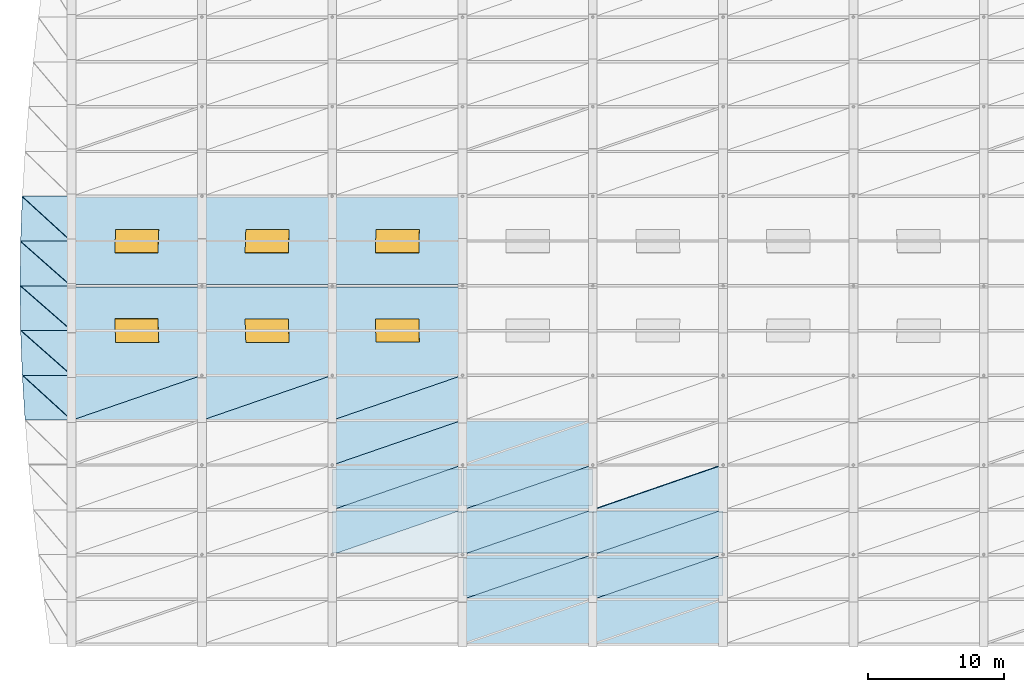
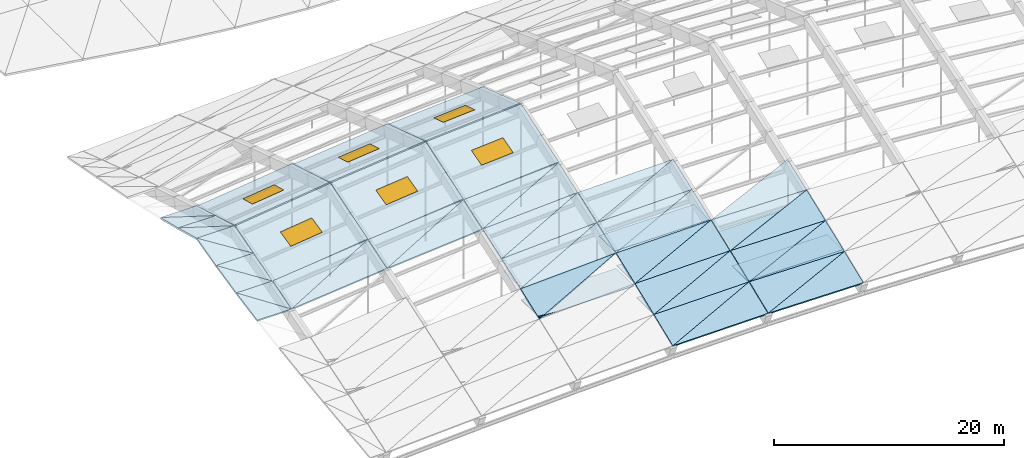
# One storey, part 37 of 43: 44 slabs, 7 plates, 6 windows, 6 openings.
"""IFC4 building model written with IfcOpenShell, lengths in metres."""

from ifc_helpers import new_model, si_unit, direction, frame, origin, origin_2d, place, context, subcontext, project, spatial, polyline, rectangle, outline, extrude, material, layer, layer_set, type_object, element, fill, save


model = new_model("IFC4")

# Units and contexts
model_context = context("Model", 3, precision=1e-05, world=origin(), true_north=direction((0.0, 1.0)))
body_context = subcontext(model_context, "Body", "Model", "MODEL_VIEW")
ifc_project = project(units=[si_unit("LENGTHUNIT", "METRE"), si_unit("AREAUNIT", "SQUARE_METRE"), si_unit("VOLUMEUNIT", "CUBIC_METRE"), si_unit("PLANEANGLEUNIT", "RADIAN"), si_unit("MASSUNIT", "GRAM", prefix="KILO")], contexts=[model_context])

# Site, building, storey
site_placement = place(None, origin())
site = spatial("IfcSite", under=ifc_project, at=site_placement, CompositionType="ELEMENT")
building_placement = place(site_placement, origin())
building = spatial("IfcBuilding", under=site, at=building_placement, Name="Chalmorin Arch Market", CompositionType="ELEMENT")
storey_placement = place(building_placement, frame((0.0, 0.0, 18.60009765625)))
storey = spatial("IfcBuildingStorey", under=building, at=storey_placement, Name="RF", CompositionType="ELEMENT", Elevation=18.60009765625)

# Slab, opening, window
ifc_material_1 = material(Name="Concrete C40/50", Category="concrete")
ifc_layer_1 = layer(ifc_material_1, 0.199951171875)
ifc_layer_set_1 = layer_set([ifc_layer_1], Name="Concrete C40/50")
slab_type_1 = type_object("IfcSlabType", Name="VaultCrownRoofSlab-200", PredefinedType="ROOF", material=ifc_layer_set_1)
slab_1_placement = place(storey_placement, frame((48.02001953125, 25.800048828125, 3.56201171875), z_axis=(-0.11756412144, -0.284806112623, 0.951348598339), x_axis=(0.992450805584, 0.0, 0.122643379341)))
slab_1 = element("IfcSlab", 1, at=slab_1_placement, inside=storey, type_object=slab_type_1, Name="RS-200-358", PredefinedType="ROOF", context=body_context, shape_type="SweptSolid", body=[
    extrude(outline(polyline([(0.0, 0.0), (9.632778309980296, 5.551115123125783e-17), (9.87216644909852, 6.801711431021613), (0.2393881391182248, 6.801711431021612), (0.0, 0.0)])), origin(), (0.0, 0.0, -1.0), 0.199951171875),
])
opening_1_placement = place(slab_1_placement, frame((4.9375, 3.442626953125, -0.21484375)))
opening_1 = element("IfcOpeningElement", 2, at=opening_1_placement, cuts=slab_1, Name="Opening SK-125", PredefinedType="OPENING", context=body_context, shape_type="SweptSolid", body=[
    extrude(rectangle(XDim=3.199951171875, YDim=1.800048828125, at=origin_2d()), origin(), (0.0, 0.0, 1.0), 0.22998046875),
])
ifc_material_2 = material(Name="Low-E Tempered Glass", Category="glass")
window_type = type_object("IfcWindowType", Name="VaultCrownSkylight-3200x1800", PartitioningType="SINGLE_PANEL", PredefinedType="SKYLIGHT", material=ifc_material_2)
window_1_placement = place(slab_1_placement, frame((4.9375, 3.442626953125, -0.050048828125)))
window_1 = element("IfcWindow", 3, at=window_1_placement, inside=storey, type_object=window_type, Name="SK-125", OverallHeight=1.800048828125, OverallWidth=3.199951171875, PartitioningType="SINGLE_PANEL", PredefinedType="SKYLIGHT", context=body_context, shape_type="SweptSolid", body=[
    extrude(rectangle(XDim=3.199951171875, YDim=1.800048828125, at=origin_2d()), origin(), (0.0, 0.0, 1.0), 0.050048828125),
])
fill(opening_1, window_1)

slab_2_placement = place(storey_placement, frame((48.02001953125, 32.47998046875, 5.513916015625), z_axis=(-0.11756412144, 0.284806112623, 0.951348598339), x_axis=(0.992450805584, 0.0, 0.122643379341)))
slab_2 = element("IfcSlab", 4, at=slab_2_placement, inside=storey, type_object=slab_type_1, Name="RS-200-359", PredefinedType="ROOF", context=body_context, shape_type="SweptSolid", body=[
    extrude(outline(polyline([(0.0, 0.0), (9.632778309980296, -5.551115123125783e-17), (9.393390170862071, 6.801711431021612), (-0.2393881391182248, 6.801711431021612), (0.0, 0.0)])), origin(), (0.0, 0.0, -1.0), 0.199951171875),
])
opening_2_placement = place(slab_2_placement, frame((4.6982421875, 3.359130859375, -0.21484375)))
opening_2 = element("IfcOpeningElement", 5, at=opening_2_placement, cuts=slab_2, Name="Opening SK-126", PredefinedType="OPENING", context=body_context, shape_type="SweptSolid", body=[
    extrude(rectangle(XDim=3.199951171875, YDim=1.800048828125, at=origin_2d()), origin(), (0.0, 0.0, 1.0), 0.22998046875),
])
window_2_placement = place(slab_2_placement, frame((4.6982421875, 3.359130859375, -0.050048828125)))
window_2 = element("IfcWindow", 6, at=window_2_placement, inside=storey, type_object=window_type, Name="SK-126", OverallHeight=1.800048828125, OverallWidth=3.199951171875, PartitioningType="SINGLE_PANEL", PredefinedType="SKYLIGHT", context=body_context, shape_type="SweptSolid", body=[
    extrude(rectangle(XDim=3.199951171875, YDim=1.800048828125, at=origin_2d()), origin(), (0.0, 0.0, 1.0), 0.050048828125),
])
fill(opening_2, window_2)

slab_3_placement = place(storey_placement, frame((57.6201171875, 25.800048828125, 4.623291015625), z_axis=(-0.099241927648, -0.304801604826, 0.947231239715), x_axis=(0.994556219746, 3.666593e-06, 0.104201371162)))
slab_3 = element("IfcSlab", 7, at=slab_3_placement, inside=storey, type_object=slab_type_1, Name="RS-200-384", PredefinedType="ROOF", context=body_context, shape_type="SweptSolid", body=[
    extrude(outline(polyline([(0.0, 0.0), (9.612152373645833, 0.0), (9.830780377166112, 6.845731700817138), (0.2186534433081611, 6.845805710086667), (0.0, 0.0)])), origin(), (0.0, 0.0, -1.0), 0.199951171875),
])
opening_3_placement = place(slab_3_placement, frame((4.91650390625, 3.46484375, -0.21484375)))
opening_3 = element("IfcOpeningElement", 8, at=opening_3_placement, cuts=slab_3, Name="Opening SK-127", PredefinedType="OPENING", context=body_context, shape_type="SweptSolid", body=[
    extrude(rectangle(XDim=3.199951171875, YDim=1.800048828125, at=origin_2d()), origin(), (0.0, 0.0, 1.0), 0.22998046875),
])
window_3_placement = place(slab_3_placement, frame((4.91650390625, 3.46484375, -0.050048828125)))
window_3 = element("IfcWindow", 9, at=window_3_placement, inside=storey, type_object=window_type, Name="SK-127", OverallHeight=1.800048828125, OverallWidth=3.199951171875, PartitioningType="SINGLE_PANEL", PredefinedType="SKYLIGHT", context=body_context, shape_type="SweptSolid", body=[
    extrude(rectangle(XDim=3.199951171875, YDim=1.800048828125, at=origin_2d()), origin(), (0.0, 0.0, 1.0), 0.050048828125),
])
fill(opening_3, window_3)

slab_4_placement = place(storey_placement, frame((57.6201171875, 32.47998046875, 6.721435546875), z_axis=(-0.099241927648, 0.304801604826, 0.947231239715), x_axis=(0.994556464287, 3.666602e-06, 0.104199037095)))
slab_4 = element("IfcSlab", 10, at=slab_4_placement, inside=storey, type_object=slab_type_1, Name="RS-200-385", PredefinedType="ROOF", context=body_context, shape_type="SweptSolid", body=[
    extrude(outline(polyline([(0.0, 0.0), (9.61212693414287, 0.0), (9.393551639837558, 6.8457333839564125), (-0.21860073352335413, 6.845807393421814), (0.0, 0.0)])), origin(), (0.0, 0.0, -1.0), 0.199951171875),
])
opening_4_placement = place(slab_4_placement, frame((4.697998046875, 3.380859375, -0.21484375)))
opening_4 = element("IfcOpeningElement", 11, at=opening_4_placement, cuts=slab_4, Name="Opening SK-128", PredefinedType="OPENING", context=body_context, shape_type="SweptSolid", body=[
    extrude(rectangle(XDim=3.199951171875, YDim=1.800048828125, at=origin_2d()), origin(), (0.0, 0.0, 1.0), 0.22998046875),
])
window_4_placement = place(slab_4_placement, frame((4.697998046875, 3.380859375, -0.050048828125)))
window_4 = element("IfcWindow", 12, at=window_4_placement, inside=storey, type_object=window_type, Name="SK-128", OverallHeight=1.800048828125, OverallWidth=3.199951171875, PartitioningType="SINGLE_PANEL", PredefinedType="SKYLIGHT", context=body_context, shape_type="SweptSolid", body=[
    extrude(rectangle(XDim=3.199951171875, YDim=1.800048828125, at=origin_2d()), origin(), (0.0, 0.0, 1.0), 0.050048828125),
])
fill(opening_4, window_4)

slab_5_placement = place(storey_placement, frame((67.219970703125, 25.800048828125, 5.533203125), z_axis=(-0.066149377305, -0.32027640649, 0.945011790047), x_axis=(0.997559073615, 0.0, 0.069827606639)))
slab_5 = element("IfcSlab", 13, at=slab_5_placement, inside=storey, type_object=slab_type_1, Name="RS-200-410", PredefinedType="ROOF", context=body_context, shape_type="SweptSolid", body=[
    extrude(outline(polyline([(0.0, 0.0), (9.583451092383525, -2.7755575615628914e-17), (9.737750327659752, 6.882564547918615), (0.15429923527622783, 6.882564547918615), (0.0, 0.0)])), origin(), (0.0, 0.0, -1.0), 0.199951171875),
])
opening_5_placement = place(slab_5_placement, frame((4.869873046875, 3.483642578125, -0.21484375)))
opening_5 = element("IfcOpeningElement", 14, at=opening_5_placement, cuts=slab_5, Name="Opening SK-129", PredefinedType="OPENING", context=body_context, shape_type="SweptSolid", body=[
    extrude(rectangle(XDim=3.199951171875, YDim=1.800048828125, at=origin_2d()), origin(), (0.0, 0.0, 1.0), 0.22998046875),
])
window_5_placement = place(slab_5_placement, frame((4.869873046875, 3.483642578125, -0.050048828125)))
window_5 = element("IfcWindow", 15, at=window_5_placement, inside=storey, type_object=window_type, Name="SK-129", OverallHeight=1.800048828125, OverallWidth=3.199951171875, PartitioningType="SINGLE_PANEL", PredefinedType="SKYLIGHT", context=body_context, shape_type="SweptSolid", body=[
    extrude(rectangle(XDim=3.199951171875, YDim=1.800048828125, at=origin_2d()), origin(), (0.0, 0.0, 1.0), 0.050048828125),
])
fill(opening_5, window_5)

slab_6_placement = place(storey_placement, frame((67.219970703125, 32.47998046875, 7.742919921875), z_axis=(-0.066149377305, 0.32027640649, 0.945011790047), x_axis=(0.997559073615, 0.0, 0.069827606639)))
slab_6 = element("IfcSlab", 16, at=slab_6_placement, inside=storey, type_object=slab_type_1, Name="RS-200-411", PredefinedType="ROOF", context=body_context, shape_type="SweptSolid", body=[
    extrude(outline(polyline([(0.0, 0.0), (9.583451092383525, 2.7755575615628914e-17), (9.429151857107296, 6.882564547918615), (-0.15429923527622783, 6.882564547918615), (0.0, 0.0)])), origin(), (0.0, 0.0, -1.0), 0.199951171875),
])
opening_6_placement = place(slab_6_placement, frame((4.715576171875, 3.39892578125, -0.21484375)))
opening_6 = element("IfcOpeningElement", 17, at=opening_6_placement, cuts=slab_6, Name="Opening SK-130", PredefinedType="OPENING", context=body_context, shape_type="SweptSolid", body=[
    extrude(rectangle(XDim=3.199951171875, YDim=1.800048828125, at=origin_2d()), origin(), (0.0, 0.0, 1.0), 0.22998046875),
])
window_6_placement = place(slab_6_placement, frame((4.715576171875, 3.39892578125, -0.050048828125)))
window_6 = element("IfcWindow", 18, at=window_6_placement, inside=storey, type_object=window_type, Name="SK-130", OverallHeight=1.800048828125, OverallWidth=3.199951171875, PartitioningType="SINGLE_PANEL", PredefinedType="SKYLIGHT", context=body_context, shape_type="SweptSolid", body=[
    extrude(rectangle(XDim=3.199951171875, YDim=1.800048828125, at=origin_2d()), origin(), (0.0, 0.0, 1.0), 0.050048828125),
])
fill(opening_6, window_6)

# Plates
ifc_material_3 = material(Name="Precast concrete C40/50", Category="concrete")
ifc_layer_2 = layer(ifc_material_3, 0.06005859375)
ifc_layer_set_2 = layer_set([ifc_layer_2], Name="Precast concrete C40/50")
plate_type_1 = type_object("IfcPlateType", Name="VaultRoofCassette-9600x2700x60", PredefinedType="SHEET", material=ifc_layer_set_2)
for number, where, z_axis, x_axis, name in (
    (19, (72.0, 17.550048828125, 2.13427734375), (0.0, 0.0, 1.0), (1.0, 0.0, 0.0), "VRC-02-061"),
    (20, (81.60009765625, 10.949951171875, -0.08984375), (0.0, 0.0, 1.0), (1.0, 0.0, 0.0), "VRC-02-065"),
    (21, (81.60009765625, 17.550048828125, 2.456298828125), (0.0, 0.0, 1.0), (1.0, 0.0, 0.0), "VRC-02-067"),
    (22, (91.199951171875, 10.949951171875, -0.08984375), (0.0, 0.0, 1.0), (1.0, 0.0, 0.0), "VRC-02-071"),
):
    element("IfcPlate", number, at=place(storey_placement, frame(where, z_axis=z_axis, x_axis=x_axis)), inside=storey, type_object=plate_type_1, Name=name, PredefinedType="SHEET", context=body_context, shape_type="SweptSolid", body=[
        extrude(rectangle(XDim=9.550048828125, YDim=2.699951171875, at=origin_2d()), origin(), (0.0, 0.0, 1.0), 0.06005859375),
    ])
ifc_layer_3 = layer(ifc_material_3, 0.06005859375)
ifc_layer_set_3 = layer_set([ifc_layer_3], Name="Precast concrete C40/50")
plate_type_2 = type_object("IfcPlateType", Name="VaultRoofCassette-9600x3100x60", PredefinedType="SHEET", material=ifc_layer_set_3)
for number, where, z_axis, x_axis, name in (
    (23, (72.0, 14.25, 0.909912109375), (0.0, 0.0, 1.0), (1.0, 0.0, 0.0), "VRC-01-060"),
    (24, (81.60009765625, 14.25, 1.198486328125), (0.0, 0.0, 1.0), (1.0, 0.0, 0.0), "VRC-01-066"),
    (25, (91.199951171875, 14.25, 1.198486328125), (0.0, 0.0, 1.0), (1.0, 0.0, 0.0), "VRC-01-072"),
):
    element("IfcPlate", number, at=place(storey_placement, frame(where, z_axis=z_axis, x_axis=x_axis)), inside=storey, type_object=plate_type_2, Name=name, PredefinedType="SHEET", context=body_context, shape_type="SweptSolid", body=[
        extrude(rectangle(XDim=9.550048828125, YDim=3.10009765625, at=origin_2d()), origin(), (0.0, 0.0, 1.0), 0.06005859375),
    ])

# Slabs
ifc_layer_4 = layer(ifc_material_1, 0.18994140625)
ifc_layer_set_4 = layer_set([ifc_layer_4], Name="Concrete C40/50")
slab_type_2 = type_object("IfcSlabType", Name="VaultSlopedRoofSlab-190", PredefinedType="ROOF", material=ifc_layer_set_4)
slab_7_placement = place(storey_placement, frame((48.02001953125, 22.5, 2.652099609375), z_axis=(-0.094321118226, -0.303198068061, 0.948248099487), x_axis=(0.995089386539, 0.0, 0.098980365713)))
element("IfcSlab", 26, at=slab_7_placement, inside=storey, type_object=slab_type_2, Name="RS-190-370", PredefinedType="ROOF", context=body_context, shape_type="SweptSolid", body=[
    extrude(outline(polyline([(0.0, 0.0), (9.607236016250294, 5.551115123125783e-17), (9.711677700969418, 3.4630636915654285), (0.0, 0.0)])), origin(), (0.0, 0.0, -1.0), 0.18994140625),
])
slab_8_placement = place(storey_placement, frame((48.02001953125, 22.5, 2.652099609375), z_axis=(-0.102928238684, -0.281733537732, 0.953955969319), x_axis=(0.927202360854, 0.320062166394, 0.194566162703)))
element("IfcSlab", 27, at=slab_8_placement, inside=storey, type_object=slab_type_2, Name="RS-190-371", PredefinedType="ROOF", context=body_context, shape_type="SweptSolid", body=[
    extrude(outline(polyline([(0.0, 0.0), (10.310649538188436, 2.7755575615628914e-16), (1.2458467833651827, 3.2074992586477244), (0.0, 0.0)])), origin(), (0.0, 0.0, -1.0), 0.18994140625),
])
slab_9_placement = place(storey_placement, frame((57.6201171875, 22.5, 3.60302734375), z_axis=(-0.079574350199, -0.321271161625, 0.943638046869), x_axis=(0.996463313136, 0.0, 0.084028956763)))
element("IfcSlab", 28, at=slab_9_placement, inside=storey, type_object=slab_type_2, Name="RS-190-396", PredefinedType="ROOF", context=body_context, shape_type="SweptSolid", body=[
    extrude(outline(polyline([(0.0, 0.0), (9.593744523360588, 0.0), (9.688154010426977, 3.484786989772941), (0.0, 0.0)])), origin(), (0.0, 0.0, -1.0), 0.18994140625),
])
slab_10_placement = place(storey_placement, frame((57.6201171875, 22.5, 3.60302734375), z_axis=(-0.086803309027, -0.303406275694, 0.948899266209), x_axis=(0.928513443569, 0.320522926085, 0.187424221926)))
element("IfcSlab", 29, at=slab_10_placement, inside=storey, type_object=slab_type_2, Name="RS-190-397", PredefinedType="ROOF", context=body_context, shape_type="SweptSolid", body=[
    extrude(outline(polyline([(0.0, 0.0), (10.295827722618668, 5.551115123125783e-17), (1.2555068064117036, 3.229151723967089), (0.0, 0.0)])), origin(), (0.0, 0.0, -1.0), 0.18994140625),
])
slab_11_placement = place(storey_placement, frame((67.219970703125, 12.60009765625, 0.864013671875), z_axis=(-0.043543837857, -0.344180943434, 0.937893070857), x_axis=(0.932869595568, 0.32199462316, 0.161473775953)))
element("IfcSlab", 30, at=slab_11_placement, inside=storey, type_object=slab_type_2, Name="RS-190-417", PredefinedType="ROOF", context=body_context, shape_type="SweptSolid", body=[
    extrude(outline(polyline([(0.0, 0.0), (10.248011768383444, 1.1102230246251565e-16), (1.2580540174210957, 3.2821305113910184), (0.0, 0.0)])), origin(), (0.0, 0.0, -1.0), 0.18994140625),
])
slab_12_placement = place(storey_placement, frame((67.219970703125, 15.89990234375, 2.074951171875), z_axis=(-0.043463754004, -0.348855435619, 0.936168140414), x_axis=(0.998923992344, 0.0, 0.046377338426)))
element("IfcSlab", 31, at=slab_12_placement, inside=storey, type_object=slab_type_2, Name="RS-190-418", PredefinedType="ROOF", context=body_context, shape_type="SweptSolid", body=[
    extrude(outline(polyline([(0.0, 0.0), (9.570356370475023, 0.0), (9.627388268339102, 3.521266969053264), (0.0, 0.0)])), origin(), (0.0, 0.0, -1.0), 0.18994140625),
])
slab_13_placement = place(storey_placement, frame((67.219970703125, 15.89990234375, 2.074951171875), z_axis=(-0.048389379916, -0.336713521109, 0.940362947278), x_axis=(0.932584679214, 0.321920095739, 0.163258286328)))
element("IfcSlab", 32, at=slab_13_placement, inside=storey, type_object=slab_type_2, Name="RS-190-419", PredefinedType="ROOF", context=body_context, shape_type="SweptSolid", body=[
    extrude(outline(polyline([(0.0, 0.0), (10.251142664927599, -1.1102230246251565e-16), (1.2552646581850038, 3.2727522779109424), (0.0, 0.0)])), origin(), (0.0, 0.0, -1.0), 0.18994140625),
])
slab_14_placement = place(storey_placement, frame((67.219970703125, 19.199951171875, 3.256591796875), z_axis=(-0.048306224426, -0.341204693564, 0.938746965786), x_axis=(0.998678650651, 0.0, 0.051390200752)))
element("IfcSlab", 33, at=slab_14_placement, inside=storey, type_object=slab_type_2, Name="RS-190-420", PredefinedType="ROOF", context=body_context, shape_type="SweptSolid", body=[
    extrude(outline(polyline([(0.0, 0.0), (9.572707484550355, 0.0), (9.634348123294622, 3.510731252267947), (0.0, 0.0)])), origin(), (0.0, 0.0, -1.0), 0.18994140625),
])
slab_15_placement = place(storey_placement, frame((67.219970703125, 19.199951171875, 3.256591796875), z_axis=(-0.053134222181, -0.329265465625, 0.942741219837), x_axis=(0.932318683519, 0.321828276345, 0.164949789045)))
element("IfcSlab", 34, at=slab_15_placement, inside=storey, type_object=slab_type_2, Name="RS-190-421", PredefinedType="ROOF", context=body_context, shape_type="SweptSolid", body=[
    extrude(outline(polyline([(0.0, 0.0), (10.254067372827308, -1.1102230246251565e-16), (1.2521681556248998, 3.26356492560873), (0.0, 0.0)])), origin(), (0.0, 0.0, -1.0), 0.18994140625),
])
slab_16_placement = place(storey_placement, frame((67.219970703125, 22.5, 4.4091796875), z_axis=(-0.053052079223, -0.333422118282, 0.941283787139), x_axis=(0.998415469941, 0.0, 0.056272101286)))
element("IfcSlab", 35, at=slab_16_placement, inside=storey, type_object=slab_type_2, Name="RS-190-422", PredefinedType="ROOF", context=body_context, shape_type="SweptSolid", body=[
    extrude(outline(polyline([(0.0, 0.0), (9.5752308348328, 2.7755575615628914e-17), (9.64100984385565, 3.5003469161780068), (0.0, 0.0)])), origin(), (0.0, 0.0, -1.0), 0.18994140625),
])
slab_17_placement = place(storey_placement, frame((67.219970703125, 22.5, 4.4091796875), z_axis=(-0.057753923832, -0.321755218754, 0.945059820057), x_axis=(0.93207227394, 0.321743217908, 0.166500984632)))
element("IfcSlab", 36, at=slab_17_placement, inside=storey, type_object=slab_type_2, Name="RS-190-423", PredefinedType="ROOF", context=body_context, shape_type="SweptSolid", body=[
    extrude(outline(polyline([(0.0, 0.0), (10.256778214571982, -1.6653345369377348e-16), (1.2488380389983762, 3.254697692211918), (0.0, 0.0)])), origin(), (0.0, 0.0, -1.0), 0.18994140625),
])
slab_18_placement = place(storey_placement, frame((76.820068359375, 6.0, -1.352783203125), z_axis=(-0.009962364462, -0.375929903704, 0.926594549302), x_axis=(0.999942206669, 0.0, 0.010750968384)))
element("IfcSlab", 37, at=slab_18_placement, inside=storey, type_object=slab_type_2, Name="RS-190-438", PredefinedType="ROOF", context=body_context, shape_type="SweptSolid", body=[
    extrude(outline(polyline([(0.0, 0.0), (9.56036697857474, 6.938893903907228e-18), (9.574761097377774, 3.561275111967234), (0.0, 0.0)])), origin(), (0.0, 0.0, -1.0), 0.18994140625),
])
slab_19_placement = place(storey_placement, frame((76.820068359375, 6.0, -1.352783203125), z_axis=(-0.011735495315, -0.371554553339, 0.928336949627), x_axis=(0.935804371126, 0.323039754948, 0.141122272174)))
element("IfcSlab", 38, at=slab_19_placement, inside=storey, type_object=slab_type_2, Name="RS-190-439", PredefinedType="ROOF", context=body_context, shape_type="SweptSolid", body=[
    extrude(outline(polyline([(0.0, 0.0), (10.215612095952746, -4.996003610813204e-16), (1.2524413720940917, 3.3265939910405153), (0.0, 0.0)])), origin(), (0.0, 0.0, -1.0), 0.18994140625),
])
slab_20_placement = place(storey_placement, frame((76.820068359375, 9.300048828125, -0.031982421875), z_axis=(-0.011750725755, -0.36852957471, 0.929541754311), x_axis=(0.999920106852, 0.0, 0.012640407919)))
element("IfcSlab", 39, at=slab_20_placement, inside=storey, type_object=slab_type_2, Name="RS-190-440", PredefinedType="ROOF", context=body_context, shape_type="SweptSolid", body=[
    extrude(outline(polyline([(0.0, 0.0), (9.560578277816866, -6.938893903907228e-18), (9.577116350580287, 3.5499052748644115), (0.0, 0.0)])), origin(), (0.0, 0.0, -1.0), 0.18994140625),
])
slab_21_placement = place(storey_placement, frame((76.820068359375, 9.300048828125, -0.031982421875), z_axis=(-0.013508208687, -0.364171270898, 0.93123402738), x_axis=(0.935964680362, 0.323095093711, 0.139927400946)))
element("IfcSlab", 40, at=slab_21_placement, inside=storey, type_object=slab_type_2, Name="RS-190-441", PredefinedType="ROOF", context=body_context, shape_type="SweptSolid", body=[
    extrude(outline(polyline([(0.0, 0.0), (10.213862396422932, -2.220446049250313e-16), (1.2468097224348862, 3.3168130199059247), (0.0, 0.0)])), origin(), (0.0, 0.0, -1.0), 0.18994140625),
])
slab_22_placement = place(storey_placement, frame((76.820068359375, 12.60009765625, 1.258544921875), z_axis=(-0.013526322762, -0.360961077052, 0.932482782386), x_axis=(0.999894808821, 0.0, 0.014504181919)))
element("IfcSlab", 41, at=slab_22_placement, inside=storey, type_object=slab_type_2, Name="RS-190-442", PredefinedType="ROOF", context=body_context, shape_type="SweptSolid", body=[
    extrude(outline(polyline([(0.0, 0.0), (9.560820167072155, 1.3877787807814457e-17), (9.579346993195513, 3.5383576399263017), (0.0, 0.0)])), origin(), (0.0, 0.0, -1.0), 0.18994140625),
])
slab_23_placement = place(storey_placement, frame((76.820068359375, 12.60009765625, 1.258544921875), z_axis=(-0.015219310131, -0.356741403365, 0.934079195638), x_axis=(0.936140224591, 0.323131784242, 0.13866264787)))
element("IfcSlab", 42, at=slab_23_placement, inside=storey, type_object=slab_type_2, Name="RS-190-443", PredefinedType="ROOF", context=body_context, shape_type="SweptSolid", body=[
    extrude(outline(polyline([(0.0, 0.0), (10.211947101511482, -8.881784197001252e-16), (1.2410219199518255, 3.3070856472224057), (0.0, 0.0)])), origin(), (0.0, 0.0, -1.0), 0.18994140625),
])
slab_24_placement = place(storey_placement, frame((76.820068359375, 15.89990234375, 2.518798828125), z_axis=(-0.015240392299, -0.353333955484, 0.935373105421), x_axis=(0.999867289257, 0.0, 0.016291220741)))
element("IfcSlab", 43, at=slab_24_placement, inside=storey, type_object=slab_type_2, Name="RS-190-444", PredefinedType="ROOF", context=body_context, shape_type="SweptSolid", body=[
    extrude(outline(polyline([(0.0, 0.0), (9.561083311592133, -1.3877787807814457e-17), (9.5813916546347, 3.527587929428185), (0.0, 0.0)])), origin(), (0.0, 0.0, -1.0), 0.18994140625),
])
slab_25_placement = place(storey_placement, frame((76.820068359375, 15.89990234375, 2.518798828125), z_axis=(-0.016916570003, -0.349135447423, 0.93691956379), x_axis=(0.936305985522, 0.323212912284, 0.137348151821)))
element("IfcSlab", 44, at=slab_25_placement, inside=storey, type_object=slab_type_2, Name="RS-190-445", PredefinedType="ROOF", context=body_context, shape_type="SweptSolid", body=[
    extrude(outline(polyline([(0.0, 0.0), (10.210139207638203, -8.881784197001252e-16), (1.235520404312027, 3.297887662618026), (0.0, 0.0)])), origin(), (0.0, 0.0, -1.0), 0.18994140625),
])
slab_26_placement = place(storey_placement, frame((76.820068359375, 19.199951171875, 3.74853515625), z_axis=(-0.016939820566, -0.345658970425, 0.938207289805), x_axis=(0.99983703894, 0.0, 0.018052577739)))
element("IfcSlab", 45, at=slab_26_placement, inside=storey, type_object=slab_type_2, Name="RS-190-446", PredefinedType="ROOF", context=body_context, shape_type="SweptSolid", body=[
    extrude(outline(polyline([(0.0, 0.0), (9.561372584533247, 0.0), (9.583321275241458, 3.516825209656144), (0.0, 0.0)])), origin(), (0.0, 0.0, -1.0), 0.18994140625),
])
slab_27_placement = place(storey_placement, frame((76.820068359375, 19.199951171875, 3.74853515625), z_axis=(-0.018574300589, -0.341544558259, 0.93968202605), x_axis=(0.936480441167, 0.323273134389, 0.136010528613)))
element("IfcSlab", 46, at=slab_27_placement, inside=storey, type_object=slab_type_2, Name="RS-190-447", PredefinedType="ROOF", context=body_context, shape_type="SweptSolid", body=[
    extrude(outline(polyline([(0.0, 0.0), (10.208237174937137, -1.1102230246251565e-16), (1.2299567101098299, 3.2888052519496305), (0.0, 0.0)])), origin(), (0.0, 0.0, -1.0), 0.18994140625),
])
slab_28_placement = place(storey_placement, frame((86.419921875, 6.0, -1.25), z_axis=(0.009981033307, -0.371561632514, 0.928354637096), x_axis=(0.999942209621, 0.0, -0.010750693862)))
element("IfcSlab", 47, at=slab_28_placement, inside=storey, type_object=slab_type_2, Name="RS-190-464", PredefinedType="ROOF", context=body_context, shape_type="SweptSolid", body=[
    extrude(outline(polyline([(0.0, 0.0), (9.5606111050904, 0.0), (9.546411580238416, 3.5545232233386486), (0.0, 0.0)])), origin(), (0.0, 0.0, -1.0), 0.18994140625),
])
slab_29_placement = place(storey_placement, frame((86.419921875, 6.0, -1.25), z_axis=(0.011712947522, -0.375922770705, 0.926576967837), x_axis=(0.93848547557, 0.323956999164, 0.119569539752)))
element("IfcSlab", 48, at=slab_29_placement, inside=storey, type_object=slab_type_2, Name="RS-190-465", PredefinedType="ROOF", context=body_context, shape_type="SweptSolid", body=[
    extrude(outline(polyline([(0.0, 0.0), (10.186687852514376, -4.440892098500626e-16), (1.2291616488541364, 3.3424615562126565), (0.0, 0.0)])), origin(), (0.0, 0.0, -1.0), 0.18994140625),
])
slab_30_placement = place(storey_placement, frame((86.419921875, 9.300048828125, 0.0888671875), z_axis=(0.011772076231, -0.364179263994, 0.93125446678), x_axis=(0.999920110932, 0.0, -0.012640085166)))
element("IfcSlab", 49, at=slab_30_placement, inside=storey, type_object=slab_type_2, Name="RS-190-466", PredefinedType="ROOF", context=body_context, shape_type="SweptSolid", body=[
    extrude(outline(polyline([(0.0, 0.0), (9.560822398937201, -6.938893903907228e-18), (9.544510023403767, 3.543376496984208), (0.0, 0.0)])), origin(), (0.0, 0.0, -1.0), 0.18994140625),
])
slab_31_placement = place(storey_placement, frame((86.419921875, 9.300048828125, 0.0888671875), z_axis=(0.013483021991, -0.368521518867, 0.929521435067), x_axis=(0.939007845529, 0.324137316717, 0.114888058326)))
element("IfcSlab", 50, at=slab_31_placement, inside=storey, type_object=slab_type_2, Name="RS-190-467", PredefinedType="ROOF", context=body_context, shape_type="SweptSolid", body=[
    extrude(outline(polyline([(0.0, 0.0), (10.18102099920411, -1.1102230246251565e-16), (1.2199827184173695, 3.3337281135575334), (0.0, 0.0)])), origin(), (0.0, 0.0, -1.0), 0.18994140625),
])
slab_32_placement = place(storey_placement, frame((86.419921875, 12.60009765625, 1.397216796875), z_axis=(0.013549459364, -0.356749974096, 0.93410163694), x_axis=(0.999894814193, 0.0, -0.014503811596)))
element("IfcSlab", 51, at=slab_32_placement, inside=storey, type_object=slab_type_2, Name="RS-190-468", PredefinedType="ROOF", context=body_context, shape_type="SweptSolid", body=[
    extrude(outline(polyline([(0.0, 0.0), (9.561064282016375, 0.0), (9.542785796797476, 3.532225471405168), (0.0, 0.0)])), origin(), (0.0, 0.0, -1.0), 0.18994140625),
])
slab_33_placement = place(storey_placement, frame((86.419921875, 12.60009765625, 1.397216796875), z_axis=(0.015192547582, -0.360952438997, 0.932460467409), x_axis=(0.939514711089, 0.324288289368, 0.110223468582)))
element("IfcSlab", 52, at=slab_33_placement, inside=storey, type_object=slab_type_2, Name="RS-190-469", PredefinedType="ROOF", context=body_context, shape_type="SweptSolid", body=[
    extrude(outline(polyline([(0.0, 0.0), (10.175528366841846, 1.1102230246251565e-16), (1.2108812760551142, 3.3247683478116445), (0.0, 0.0)])), origin(), (0.0, 0.0, -1.0), 0.18994140625),
])
slab_34_placement = place(storey_placement, frame((86.419921875, 15.89990234375, 2.674560546875), z_axis=(0.015265605135, -0.349144725024, 0.936944460621), x_axis=(0.999867296034, 0.0, -0.016290804813)))
element("IfcSlab", 53, at=slab_34_placement, inside=storey, type_object=slab_type_2, Name="RS-190-470", PredefinedType="ROOF", context=body_context, shape_type="SweptSolid", body=[
    extrude(outline(polyline([(0.0, 0.0), (9.561327419817879, 0.0), (9.541294025324866, 3.5216718143269166), (0.0, 0.0)])), origin(), (0.0, 0.0, -1.0), 0.18994140625),
])
slab_35_placement = place(storey_placement, frame((44.366943359375, 25.800048828125, 3.626708984375), z_axis=(0.0, -0.283237875171, 0.959049689051), x_axis=(0.059211276239, -0.95736701067, -0.282740926729)))
element("IfcSlab", 54, at=slab_35_placement, inside=storey, type_object=slab_type_2, Name="RS-190-576", PredefinedType="ROOF", context=body_context, shape_type="SweptSolid", body=[
    extrude(outline(polyline([(0.0, 0.0), (3.4470049535302407, -2.42861286636753e-17), (3.6488523778765303, 3.4029544781017456), (0.0, 0.0)])), origin(), (0.0, 0.0, -1.0), 0.18994140625),
])
slab_36_placement = place(storey_placement, frame((47.97998046875, 25.800048828125, 3.626708984375), z_axis=(0.0, -0.283237875171, 0.959049689051), x_axis=(-1.0, 0.0, 0.0)))
element("IfcSlab", 55, at=slab_36_placement, inside=storey, type_object=slab_type_2, Name="RS-190-577", PredefinedType="ROOF", context=body_context, shape_type="SweptSolid", body=[
    extrude(outline(polyline([(0.0, 0.0), (3.613037109375, 0.0), (0.0, 3.4409570909627853), (0.0, 0.0)])), origin(), (0.0, 0.0, -1.0), 0.18994140625),
])
slab_37_placement = place(storey_placement, frame((44.241943359375, 29.10009765625, 4.575927734375), z_axis=(0.0, -0.276429733269, 0.961034131842), x_axis=(0.036378174563, -0.960398018688, -0.276246763088)))
element("IfcSlab", 56, at=slab_37_placement, inside=storey, type_object=slab_type_2, Name="RS-190-578", PredefinedType="ROOF", context=body_context, shape_type="SweptSolid", body=[
    extrude(outline(polyline([(0.0, 0.0), (3.436126235073553, 1.734723475976807e-17), (3.5675619297409833, 3.610645622584436), (0.0, 0.0)])), origin(), (0.0, 0.0, -1.0), 0.18994140625),
])
slab_38_placement = place(storey_placement, frame((47.97998046875, 29.10009765625, 4.575927734375), z_axis=(0.0, -0.276429733269, 0.961034131842), x_axis=(-1.0, 0.0, 0.0)))
element("IfcSlab", 57, at=slab_38_placement, inside=storey, type_object=slab_type_2, Name="RS-190-579", PredefinedType="ROOF", context=body_context, shape_type="SweptSolid", body=[
    extrude(outline(polyline([(0.0, 0.0), (3.738037109375, 0.0), (0.0, 3.433851846448934), (0.0, 0.0)])), origin(), (0.0, 0.0, -1.0), 0.18994140625),
])
slab_39_placement = place(storey_placement, frame((44.199951171875, 32.39990234375, 5.5), z_axis=(0.0, -0.26966427964, 0.9629543999), x_axis=(0.012253308842, -0.962882106477, -0.269644034701)))
element("IfcSlab", 58, at=slab_39_placement, inside=storey, type_object=slab_type_2, Name="RS-190-580", PredefinedType="ROOF", context=body_context, shape_type="SweptSolid", body=[
    extrude(outline(polyline([(0.0, 0.0), (3.4270080057617793, -3.469446951953614e-18), (3.472811328927329, 3.7377564777084658), (0.0, 0.0)])), origin(), (0.0, 0.0, -1.0), 0.18994140625),
])
slab_40_placement = place(storey_placement, frame((47.97998046875, 32.39990234375, 5.5), z_axis=(0.0, -0.26966427964, 0.9629543999), x_axis=(-1.0, 0.0, 0.0)))
element("IfcSlab", 59, at=slab_40_placement, inside=storey, type_object=slab_type_2, Name="RS-190-581", PredefinedType="ROOF", context=body_context, shape_type="SweptSolid", body=[
    extrude(outline(polyline([(0.0, 0.0), (3.780029296875, 0.0), (0.0, 3.426750724482931), (0.0, 0.0)])), origin(), (0.0, 0.0, -1.0), 0.18994140625),
])
slab_41_placement = place(storey_placement, frame((44.241943359375, 35.699951171875, 4.575927734375), z_axis=(0.0, 0.269645780223, 0.962959580257), x_axis=(-0.012252468371, -0.962887296362, 0.269625539449)))
element("IfcSlab", 60, at=slab_41_placement, inside=storey, type_object=slab_type_2, Name="RS-190-582", PredefinedType="ROOF", context=body_context, shape_type="SweptSolid", body=[
    extrude(outline(polyline([(0.0, 0.0), (3.4272430850346085, 3.0357660829594124e-18), (3.3809283956322185, 3.779745551591916), (0.0, 0.0)])), origin(), (0.0, 0.0, -1.0), 0.18994140625),
])
slab_42_placement = place(storey_placement, frame((47.97998046875, 35.699951171875, 4.575927734375), z_axis=(0.0, 0.269645780223, 0.962959580257), x_axis=(-1.0, 0.0, 0.0)))
element("IfcSlab", 61, at=slab_42_placement, inside=storey, type_object=slab_type_2, Name="RS-190-583", PredefinedType="ROOF", context=body_context, shape_type="SweptSolid", body=[
    extrude(outline(polyline([(0.0, 0.0), (3.738037109375, 0.0), (0.0, 3.426985821404359), (0.0, 0.0)])), origin(), (0.0, 0.0, -1.0), 0.18994140625),
])
slab_43_placement = place(storey_placement, frame((44.366943359375, 39.0, 3.626708984375), z_axis=(0.0, 0.276429733269, 0.961034131842), x_axis=(-0.036378174563, -0.960398018688, 0.276246763088)))
element("IfcSlab", 62, at=slab_43_placement, inside=storey, type_object=slab_type_2, Name="RS-190-584", PredefinedType="ROOF", context=body_context, shape_type="SweptSolid", body=[
    extrude(outline(polyline([(0.0, 0.0), (3.436126235073553, -1.734723475976807e-17), (3.3001432685857477, 3.7355628844780253), (0.0, 0.0)])), origin(), (0.0, 0.0, -1.0), 0.18994140625),
])
slab_44_placement = place(storey_placement, frame((47.97998046875, 39.0, 3.626708984375), z_axis=(0.0, 0.276429733269, 0.961034131842), x_axis=(-1.0, 0.0, 0.0)))
element("IfcSlab", 63, at=slab_44_placement, inside=storey, type_object=slab_type_2, Name="RS-190-585", PredefinedType="ROOF", context=body_context, shape_type="SweptSolid", body=[
    extrude(outline(polyline([(0.0, 0.0), (3.613037109375, 0.0), (0.0, 3.433851846448934), (0.0, 0.0)])), origin(), (0.0, 0.0, -1.0), 0.18994140625),
])

save(model, "model.ifc")
